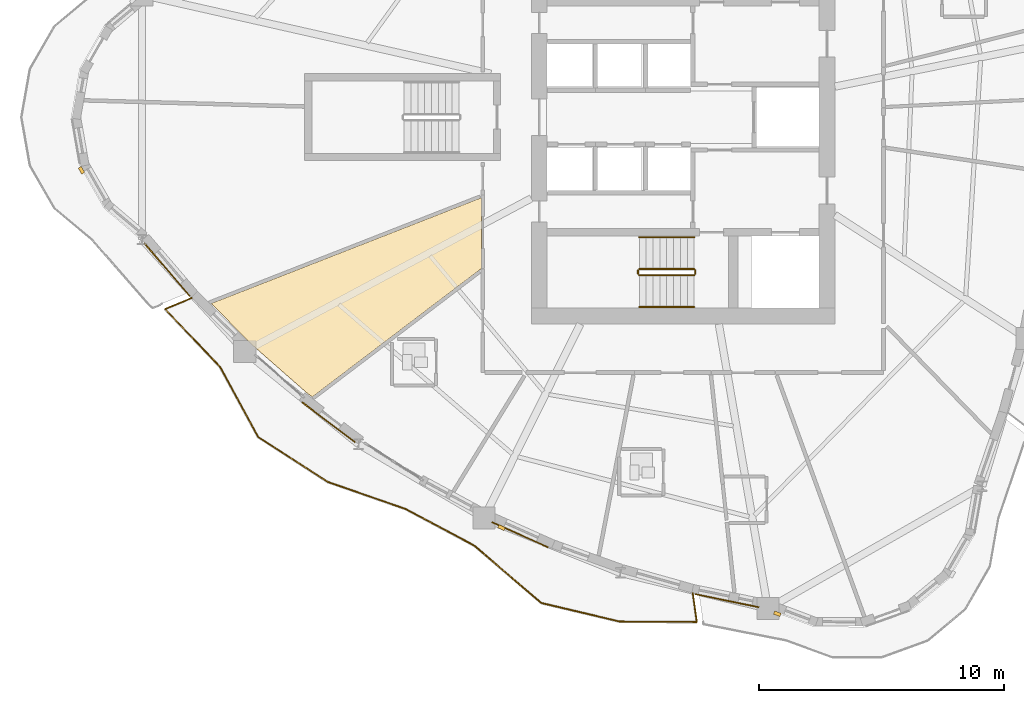
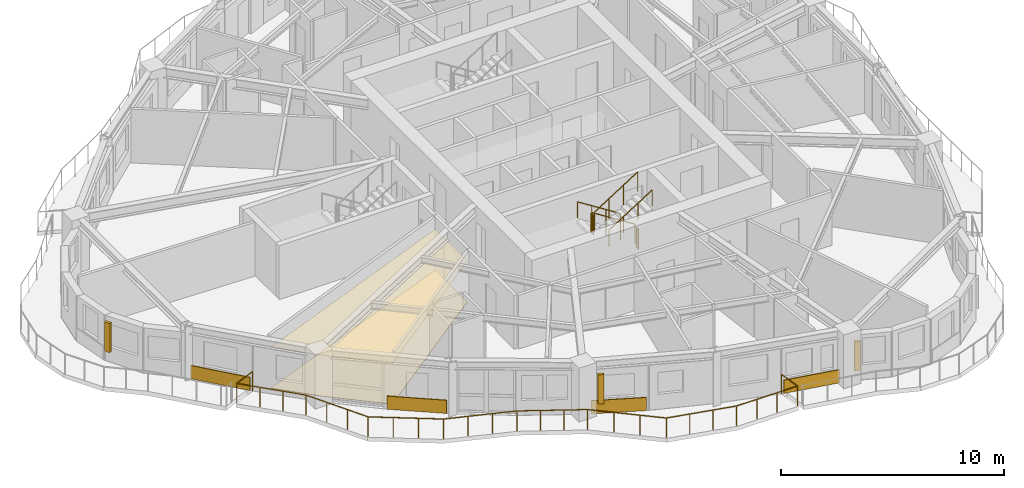
# One storey, part 11 of 15: 7 railings, 6 coverings, 3 shading devices.
"""IFC4 building model written with IfcOpenShell, lengths in metres."""

from ifc_helpers import new_model, si_unit, direction, frame, origin, origin_2d, place, context, subcontext, project, spatial, polyline, rectangle, circle, outline, extrude, source, transform, mapped, material, layer, layer_set, type_object, element, save


model = new_model("IFC4")

# Units and contexts
model_context = context("Model", 3, precision=1e-05, world=origin(), true_north=direction((0.0, 1.0)))
body_context = subcontext(model_context, "Body", "Model", "MODEL_VIEW")
ifc_project = project(units=[si_unit("LENGTHUNIT", "METRE"), si_unit("AREAUNIT", "SQUARE_METRE"), si_unit("VOLUMEUNIT", "CUBIC_METRE"), si_unit("PLANEANGLEUNIT", "RADIAN"), si_unit("MASSUNIT", "GRAM", prefix="KILO")], contexts=[model_context])

# Site, building, storey
site_placement = place(None, origin())
site = spatial("IfcSite", under=ifc_project, at=site_placement, CompositionType="ELEMENT")
building_placement = place(site_placement, origin())
building = spatial("IfcBuilding", under=site, at=building_placement, Name="Qafzar Sky-Pleat Residences", CompositionType="ELEMENT")
storey_placement = place(building_placement, frame((0.0, 0.0, 70.39990234375)))
storey = spatial("IfcBuildingStorey", under=building, at=storey_placement, Name="L20", CompositionType="ELEMENT", Elevation=70.39990234375)

# Coverings
ifc_material_1 = material(Name="Perforated acoustic gypsum board ceiling")
ifc_layer_1 = layer(ifc_material_1, 0.02001953125)
ifc_layer_set_1 = layer_set([ifc_layer_1], Name="Perforated acoustic gypsum board ceiling")
covering_type_1 = type_object("IfcCoveringType", Name="COV-CEIL-ACOUSTIC", PredefinedType="CEILING", material=ifc_layer_set_1)
covering_1_placement = place(storey_placement, frame((0.0, 0.0, 2.239990234375)))
element("IfcCovering", 1, at=covering_1_placement, inside=storey, type_object=covering_type_1, Name="L20 Common Dining Room Acoustic Ceiling", PredefinedType="CEILING", context=body_context, shape_type="SweptSolid", body=[
    extrude(outline(polyline([(14.973876953125, 14.75439453125), (12.726318359375, 16.727294921875), (11.08349609375, 18.393798828125), (22.110107421875, 22.710205078125), (22.110107421875, 19.818603515625), (15.2080078125, 14.57763671875), (14.973876953125, 14.75439453125)])), origin(), (0.0, 0.0, 1.0), 0.02001953125),
])
ifc_material_2 = material(Name="Honed porcelain and Riyadh stone tile flooring", Category="masonry")
ifc_layer_2 = layer(ifc_material_2, 0.02001953125)
ifc_layer_set_2 = layer_set([ifc_layer_2], Name="Honed porcelain and Riyadh stone tile flooring")
covering_type_2 = type_object("IfcCoveringType", Name="COV-FLR-PORCELAIN", PredefinedType="FLOORING", material=ifc_layer_set_2)
covering_2_placement = place(storey_placement, origin())
element("IfcCovering", 2, at=covering_2_placement, inside=storey, type_object=covering_type_2, Name="L20 Common Dining Room Honed Stone Flooring", PredefinedType="FLOORING", context=body_context, shape_type="SweptSolid", body=[
    extrude(outline(polyline([(14.973876953125, 14.75439453125), (12.726318359375, 16.727294921875), (11.08349609375, 18.393798828125), (22.110107421875, 22.710205078125), (22.110107421875, 19.818603515625), (15.2080078125, 14.57763671875), (14.973876953125, 14.75439453125)])), origin(), (0.0, 0.0, 1.0), 0.02001953125),
])

# Shading devices
ifc_material_3 = material(Name="Honed Riyadh limestone solar fin", Category="masonry")
ifc_layer_3 = layer(ifc_material_3, 0.139892578125)
ifc_layer_set_3 = layer_set([ifc_layer_3], Name="Honed Riyadh limestone solar fin")
shading_device_type = type_object("IfcShadingDeviceType", Name="SHD-FIN-STONE", PredefinedType="SHUTTER", material=ifc_layer_set_3)
shared_shape_1 = source(origin(), body_context, "Body", "SweptSolid", [
    extrude(rectangle(XDim=0.139892578125, YDim=0.280029296875, at=origin_2d()), origin(), (0.0, 0.0, 1.0), 1.60009765625),
])
for number, where, z_axis, x_axis, name in (
    (3, (5.78466796875, 23.83251953125, 0.60009765625), (0.0, 0.0, 1.0), (-0.868289358176, -0.49605805152, 0.0), "L20 Limestone Solar Fin 5"),
    (4, (22.9345703125, 9.24169921875, 0.60009765625), (0.0, 0.0, 1.0), (-0.406986553013, -0.913434149606, 0.0), "L20 Limestone Solar Fin 13"),
    (5, (34.197509765625, 5.724365234375, 0.60009765625), (0.0, 0.0, 1.0), (-0.349795816618, -0.936825963921, 0.0), "L20 Limestone Solar Fin 17"),
):
    element("IfcShadingDevice", number, at=place(storey_placement, frame(where, z_axis=z_axis, x_axis=x_axis)), inside=storey, type_object=shading_device_type, Name=name, PredefinedType="SHUTTER", context=body_context, shape_type="MappedRepresentation", body=[
        mapped(shared_shape_1, transform((0.0, 0.0, 0.0), x_axis=(1.0, 0.0, 0.0), y_axis=(0.0, 1.0, 0.0), z_axis=(0.0, 0.0, 1.0), scale=1.0)),
    ])

# Railing
ifc_material_4 = material(Name="Laminated glass and bronze steel balustrade", Category="steel")
railing_type_1 = type_object("IfcRailingType", Name="RAIL-BAL-1100", PredefinedType="BALUSTRADE", material=ifc_material_4)
shared_shape_2 = source(origin(), body_context, "Body", "SweptSolid", [
    extrude(circle(Radius=0.02392578125, at=origin_2d()), frame((0.0, 0.0, 1.076171875), z_axis=(-0.923064659651, -0.384644815517, 0.0), x_axis=(0.384644815517, -0.923064659651, 0.0)), (0.0, 0.0, 1.0), 1.177978515625),
    extrude(circle(Radius=0.02392578125, at=origin_2d()), frame((-1.08740234375, -0.453125, 1.076171875), z_axis=(0.689608250785, -0.724182615402, 0.0), x_axis=(0.724182615402, 0.689608250785, 0.0)), (0.0, 0.0, 1.0), 3.248291015625),
    extrude(circle(Radius=0.02392578125, at=origin_2d()), frame((1.152587890625, -2.805419921875, 1.076171875), z_axis=(0.478139425379, -0.878283946055, 0.0), x_axis=(0.878283946055, 0.478139425379, 0.0)), (0.0, 0.0, 1.0), 3.264892578125),
    extrude(circle(Radius=0.02392578125, at=origin_2d()), frame((2.713623046875, -5.6728515625, 1.076171875), z_axis=(0.839786399163, -0.542916940038, 0.0), x_axis=(0.542916940038, 0.839786399163, 0.0)), (0.0, 0.0, 1.0), 3.3916015625),
    extrude(circle(Radius=0.02392578125, at=origin_2d()), frame((5.561767578125, -7.51416015625, 1.076171875), z_axis=(0.944911742668, -0.327325218349, 0.0), x_axis=(0.327325218349, 0.944911742668, 0.0)), (0.0, 0.0, 1.0), 3.359375),
    extrude(circle(Radius=0.02392578125, at=origin_2d()), frame((8.736083984375, -8.61376953125, 1.076171875), z_axis=(0.882214448955, -0.470847816237, 0.0), x_axis=(0.470847816237, 0.882214448955, 0.0)), (0.0, 0.0, 1.0), 3.1728515625),
    extrude(circle(Radius=0.02392578125, at=origin_2d()), frame((11.53515625, -10.107666015625, 1.076171875), z_axis=(0.759314052168, -0.650724342698, 0.0), x_axis=(0.650724342698, 0.759314052168, 0.0)), (0.0, 0.0, 1.0), 3.599609375),
    extrude(circle(Radius=0.02392578125, at=origin_2d()), frame((14.268310546875, -12.449951171875, 1.076171875), z_axis=(0.972967941431, -0.230940219424, 0.0), x_axis=(0.230940219424, 0.972967941431, 0.0)), (0.0, 0.0, 1.0), 3.29931640625),
    extrude(circle(Radius=0.02392578125, at=origin_2d()), frame((17.478515625, -13.2119140625, 1.076171875), z_axis=(0.999988425304, -0.004811367559, 0.0), x_axis=(0.004811367559, 0.999988425304, 0.0)), (0.0, 0.0, 1.0), 3.14599609375),
    extrude(circle(Radius=0.02392578125, at=origin_2d()), frame((20.62451171875, -13.22705078125, 1.076171875), z_axis=(-0.139912212817, 0.990163912039, 0.0), x_axis=(-0.990163912039, -0.139912212817, 0.0)), (0.0, 0.0, 1.0), 1.177734375),
    extrude(circle(Radius=0.02099609375, at=origin_2d()), origin(), (0.0, 0.0, 1.0), 1.052001953125),
    extrude(circle(Radius=0.02099609375, at=origin_2d()), frame((-1.08740234375, -0.453125, 0.0)), (0.0, 0.0, 1.0), 1.052001953125),
    extrude(circle(Radius=0.02099609375, at=origin_2d()), frame((-0.3408203125, -1.2373046875, 0.0)), (0.0, 0.0, 1.0), 1.052001953125),
    extrude(circle(Radius=0.02099609375, at=origin_2d()), frame((0.406005859375, -2.021240234375, 0.0)), (0.0, 0.0, 1.0), 1.052001953125),
    extrude(circle(Radius=0.02099609375, at=origin_2d()), frame((1.152587890625, -2.805419921875, 0.0)), (0.0, 0.0, 1.0), 1.052001953125),
    extrude(circle(Radius=0.02099609375, at=origin_2d()), frame((1.6728515625, -3.76123046875, 0.0)), (0.0, 0.0, 1.0), 1.052001953125),
    extrude(circle(Radius=0.02099609375, at=origin_2d()), frame((2.193359375, -4.717041015625, 0.0)), (0.0, 0.0, 1.0), 1.052001953125),
    extrude(circle(Radius=0.02099609375, at=origin_2d()), frame((2.713623046875, -5.6728515625, 0.0)), (0.0, 0.0, 1.0), 1.052001953125),
    extrude(circle(Radius=0.02099609375, at=origin_2d()), frame((3.6630859375, -6.28662109375, 0.0)), (0.0, 0.0, 1.0), 1.052001953125),
    extrude(circle(Radius=0.02099609375, at=origin_2d()), frame((4.6123046875, -6.900390625, 0.0)), (0.0, 0.0, 1.0), 1.052001953125),
    extrude(circle(Radius=0.02099609375, at=origin_2d()), frame((5.561767578125, -7.51416015625, 0.0)), (0.0, 0.0, 1.0), 1.052001953125),
    extrude(circle(Radius=0.02099609375, at=origin_2d()), frame((6.619873046875, -7.880615234375, 0.0)), (0.0, 0.0, 1.0), 1.052001953125),
    extrude(circle(Radius=0.02099609375, at=origin_2d()), frame((7.677978515625, -8.247314453125, 0.0)), (0.0, 0.0, 1.0), 1.052001953125),
    extrude(circle(Radius=0.02099609375, at=origin_2d()), frame((8.736083984375, -8.61376953125, 0.0)), (0.0, 0.0, 1.0), 1.052001953125),
    extrude(circle(Radius=0.02099609375, at=origin_2d()), frame((9.669189453125, -9.11181640625, 0.0)), (0.0, 0.0, 1.0), 1.052001953125),
    extrude(circle(Radius=0.02099609375, at=origin_2d()), frame((10.60205078125, -9.609619140625, 0.0)), (0.0, 0.0, 1.0), 1.052001953125),
    extrude(circle(Radius=0.02099609375, at=origin_2d()), frame((11.53515625, -10.107666015625, 0.0)), (0.0, 0.0, 1.0), 1.052001953125),
    extrude(circle(Radius=0.02099609375, at=origin_2d()), frame((12.4462890625, -10.888427734375, 0.0)), (0.0, 0.0, 1.0), 1.052001953125),
    extrude(circle(Radius=0.02099609375, at=origin_2d()), frame((13.357177734375, -11.669189453125, 0.0)), (0.0, 0.0, 1.0), 1.052001953125),
    extrude(circle(Radius=0.02099609375, at=origin_2d()), frame((14.268310546875, -12.449951171875, 0.0)), (0.0, 0.0, 1.0), 1.052001953125),
    extrude(circle(Radius=0.02099609375, at=origin_2d()), frame((15.33837890625, -12.703857421875, 0.0)), (0.0, 0.0, 1.0), 1.052001953125),
    extrude(circle(Radius=0.02099609375, at=origin_2d()), frame((16.408447265625, -12.9580078125, 0.0)), (0.0, 0.0, 1.0), 1.052001953125),
    extrude(circle(Radius=0.02099609375, at=origin_2d()), frame((17.478515625, -13.2119140625, 0.0)), (0.0, 0.0, 1.0), 1.052001953125),
    extrude(circle(Radius=0.02099609375, at=origin_2d()), frame((18.527099609375, -13.217041015625, 0.0)), (0.0, 0.0, 1.0), 1.052001953125),
    extrude(circle(Radius=0.02099609375, at=origin_2d()), frame((19.575927734375, -13.221923828125, 0.0)), (0.0, 0.0, 1.0), 1.052001953125),
    extrude(circle(Radius=0.02099609375, at=origin_2d()), frame((20.62451171875, -13.22705078125, 0.0)), (0.0, 0.0, 1.0), 1.052001953125),
    extrude(circle(Radius=0.02099609375, at=origin_2d()), frame((20.459716796875, -12.060791015625, 0.0)), (0.0, 0.0, 1.0), 1.052001953125),
])
railing_1_placement = place(storey_placement, frame((10.285400390625, 18.6181640625, 0.0)))
element("IfcRailing", 6, at=railing_1_placement, inside=storey, type_object=railing_type_1, Name="L20 Pleated Balcony 3 Balustrade", PredefinedType="BALUSTRADE", context=body_context, shape_type="MappedRepresentation", body=[
    mapped(shared_shape_2, transform((0.0, 0.0, 0.0), x_axis=(1.0, 0.0, 0.0), y_axis=(0.0, 1.0, 0.0), z_axis=(0.0, 0.0, 1.0), scale=1.0)),
])

# Coverings
ifc_material_5 = material(Name="Honed Riyadh Tuwaiq limestone cladding", Category="masonry")
ifc_layer_4 = layer(ifc_material_5, 0.044921875)
ifc_layer_set_4 = layer_set([ifc_layer_4], Name="Honed Riyadh Tuwaiq limestone cladding")
covering_type_3 = type_object("IfcCoveringType", Name="COV-CLAD-STONE", PredefinedType="CLADDING", material=ifc_layer_set_4)
shared_shape_3 = source(origin(), body_context, "Body", "SweptSolid", [
    extrude(rectangle(XDim=2.83837890625, YDim=0.044921875, at=origin_2d()), origin(), (0.0, 0.0, 1.0), 0.719970703125),
])
covering_3_placement = place(storey_placement, frame((9.2783203125, 19.776611328125, 0.02001953125), z_axis=(0.0, 0.0, 1.0), x_axis=(0.65076787103, -0.759276746671, 0.0)))
element("IfcCovering", 7, at=covering_3_placement, inside=storey, type_object=covering_type_3, Name="L20 Riyadh Limestone Spandrel Cladding 7", PredefinedType="CLADDING", context=body_context, shape_type="MappedRepresentation", body=[
    mapped(shared_shape_3, transform((0.0, 0.0, 0.0), x_axis=(1.0, 0.0, 0.0), y_axis=(0.0, 1.0, 0.0), z_axis=(0.0, 0.0, 1.0), scale=1.0)),
])
shared_shape_4 = source(origin(), body_context, "Body", "SweptSolid", [
    extrude(rectangle(XDim=2.70361328125, YDim=0.044921875, at=origin_2d()), origin(), (0.0, 0.0, 1.0), 0.719970703125),
])
covering_4_placement = place(storey_placement, frame((15.876708984375, 13.544921875, 0.02001953125), z_axis=(0.0, 0.0, 1.0), x_axis=(0.798395365386, -0.602133573661, 0.0)))
element("IfcCovering", 8, at=covering_4_placement, inside=storey, type_object=covering_type_3, Name="L20 Riyadh Limestone Spandrel Cladding 10", PredefinedType="CLADDING", context=body_context, shape_type="MappedRepresentation", body=[
    mapped(shared_shape_4, transform((0.0, 0.0, 0.0), x_axis=(1.0, 0.0, 0.0), y_axis=(0.0, 1.0, 0.0), z_axis=(0.0, 0.0, 1.0), scale=1.0)),
])
shared_shape_5 = source(origin(), body_context, "Body", "SweptSolid", [
    extrude(rectangle(XDim=2.519287109375, YDim=0.044921875, at=origin_2d()), origin(), (0.0, 0.0, 1.0), 0.719970703125),
])
covering_5_placement = place(storey_placement, frame((23.69189453125, 8.951416015625, 0.02001953125), z_axis=(0.0, 0.0, 1.0), x_axis=(0.913434009373, -0.406986867749, 0.0)))
element("IfcCovering", 9, at=covering_5_placement, inside=storey, type_object=covering_type_3, Name="L20 Riyadh Limestone Spandrel Cladding 13", PredefinedType="CLADDING", context=body_context, shape_type="MappedRepresentation", body=[
    mapped(shared_shape_5, transform((0.0, 0.0, 0.0), x_axis=(1.0, 0.0, 0.0), y_axis=(0.0, 1.0, 0.0), z_axis=(0.0, 0.0, 1.0), scale=1.0)),
])
shared_shape_6 = source(origin(), body_context, "Body", "SweptSolid", [
    extrude(rectangle(XDim=2.65380859375, YDim=0.044921875, at=origin_2d()), origin(), (0.0, 0.0, 1.0), 0.719970703125),
])
covering_6_placement = place(storey_placement, frame((32.145751953125, 6.258056640625, 0.02001953125), z_axis=(0.0, 0.0, 1.0), x_axis=(0.979436154863, -0.201754351992, 0.0)))
element("IfcCovering", 10, at=covering_6_placement, inside=storey, type_object=covering_type_3, Name="L20 Riyadh Limestone Spandrel Cladding 16", PredefinedType="CLADDING", context=body_context, shape_type="MappedRepresentation", body=[
    mapped(shared_shape_6, transform((0.0, 0.0, 0.0), x_axis=(1.0, 0.0, 0.0), y_axis=(0.0, 1.0, 0.0), z_axis=(0.0, 0.0, 1.0), scale=1.0)),
])

# Railings
ifc_material_6 = material(Name="Painted Steel S355 stair guardrail", Category="steel")
railing_type_2 = type_object("IfcRailingType", Name="RAIL-STAIR-GUARD", PredefinedType="GUARDRAIL", material=ifc_material_6)
shared_shape_7 = source(origin(), body_context, "Body", "SweptSolid", [
    extrude(circle(Radius=0.02392578125, at=origin_2d()), frame((0.0, 0.0, 1.076171875), z_axis=(0.0, -1.0, 0.0), x_axis=(1.0, 0.0, 0.0)), (0.0, 0.0, 1.0), 0.14990234375),
    extrude(circle(Radius=0.02099609375, at=origin_2d()), origin(), (0.0, 0.0, 1.0), 1.052001953125),
    extrude(circle(Radius=0.02099609375, at=origin_2d()), frame((0.0, -0.14990234375, 0.0)), (0.0, 0.0, 1.0), 1.052001953125),
])
for number, where, name in (
    (11, (28.510009765625, 19.75, 1.60009765625), "L20 ST1 stair guard 2"),
    (12, (30.85009765625, 19.75, 0.0), "L20 ST1 stair guard 4"),
):
    element("IfcRailing", number, at=place(storey_placement, frame(where)), inside=storey, type_object=railing_type_2, Name=name, PredefinedType="GUARDRAIL", context=body_context, shape_type="MappedRepresentation", body=[
        mapped(shared_shape_7, transform((0.0, 0.0, 0.0), x_axis=(1.0, 0.0, 0.0), y_axis=(0.0, 1.0, 0.0), z_axis=(0.0, 0.0, 1.0), scale=1.0)),
    ])
shared_shape_8 = source(origin(), body_context, "Body", "SweptSolid", [
    extrude(circle(Radius=0.02392578125, at=origin_2d()), frame((0.0, 0.0, 1.076171875), z_axis=(-0.8442293374, 0.0, 0.53598211339), x_axis=(0.0, -1.0, 0.0)), (0.0, 0.0, 1.0), 2.6533203125),
    extrude(circle(Radius=0.02099609375, at=origin_2d()), origin(), (0.0, 0.0, 1.0), 1.052001953125),
    extrude(circle(Radius=0.02099609375, at=origin_2d()), frame((-0.74658203125, 0.0, 0.47412109375)), (0.0, 0.0, 1.0), 1.052001953125),
    extrude(circle(Radius=0.02099609375, at=origin_2d()), frame((-1.493408203125, 0.0, 0.947998046875)), (0.0, 0.0, 1.0), 1.052001953125),
    extrude(circle(Radius=0.02099609375, at=origin_2d()), frame((-2.239990234375, 0.0, 1.422119140625)), (0.0, 0.0, 1.0), 1.052001953125),
])
railing_2_placement = place(storey_placement, frame((30.800048828125, 19.800048828125, 0.177978515625)))
element("IfcRailing", 13, at=railing_2_placement, inside=storey, type_object=railing_type_2, Name="L20 ST1 stair guard 1", PredefinedType="GUARDRAIL", context=body_context, shape_type="MappedRepresentation", body=[
    mapped(shared_shape_8, transform((0.0, 0.0, 0.0), x_axis=(1.0, 0.0, 0.0), y_axis=(0.0, 1.0, 0.0), z_axis=(0.0, 0.0, 1.0), scale=1.0)),
])
ifc_material_7 = material(Name="Brushed stainless steel handrail", Category="steel")
railing_type_3 = type_object("IfcRailingType", Name="RAIL-STAIR-HAND", PredefinedType="HANDRAIL", material=ifc_material_7)
shared_shape_9 = source(origin(), body_context, "Body", "SweptSolid", [
    extrude(circle(Radius=0.02392578125, at=origin_2d()), frame((0.0, 0.0, 0.8759765625), z_axis=(-0.8442293374, 0.0, 0.53598211339), x_axis=(0.0, -1.0, 0.0)), (0.0, 0.0, 1.0), 2.6533203125),
    extrude(circle(Radius=0.02099609375, at=origin_2d()), origin(), (0.0, 0.0, 1.0), 0.851806640625),
    extrude(circle(Radius=0.02099609375, at=origin_2d()), frame((-0.74658203125, 0.0, 0.47412109375)), (0.0, 0.0, 1.0), 0.851806640625),
    extrude(circle(Radius=0.02099609375, at=origin_2d()), frame((-1.493408203125, 0.0, 0.947998046875)), (0.0, 0.0, 1.0), 0.851806640625),
    extrude(circle(Radius=0.02099609375, at=origin_2d()), frame((-2.239990234375, 0.0, 1.422119140625)), (0.0, 0.0, 1.0), 0.851806640625),
])
railing_3_placement = place(storey_placement, frame((30.800048828125, 21.10009765625, 0.177978515625)))
element("IfcRailing", 14, at=railing_3_placement, inside=storey, type_object=railing_type_3, Name="L20 ST1 stair handrail 1", PredefinedType="HANDRAIL", context=body_context, shape_type="MappedRepresentation", body=[
    mapped(shared_shape_9, transform((0.0, 0.0, 0.0), x_axis=(1.0, 0.0, 0.0), y_axis=(0.0, 1.0, 0.0), z_axis=(0.0, 0.0, 1.0), scale=1.0)),
])
shared_shape_10 = source(origin(), body_context, "Body", "SweptSolid", [
    extrude(circle(Radius=0.02392578125, at=origin_2d()), frame((0.0, 0.0, 1.076171875), z_axis=(0.84418770128, 0.0, 0.536047689118), x_axis=(0.0, 1.0, 0.0)), (0.0, 0.0, 1.0), 2.6533203125),
    extrude(circle(Radius=0.02099609375, at=origin_2d()), origin(), (0.0, 0.0, 1.0), 1.052001953125),
    extrude(circle(Radius=0.02099609375, at=origin_2d()), frame((0.74658203125, 0.0, 0.47412109375)), (0.0, 0.0, 1.0), 1.052001953125),
    extrude(circle(Radius=0.02099609375, at=origin_2d()), frame((1.493408203125, 0.0, 0.9482421875)), (0.0, 0.0, 1.0), 1.052001953125),
    extrude(circle(Radius=0.02099609375, at=origin_2d()), frame((2.239990234375, 0.0, 1.42236328125)), (0.0, 0.0, 1.0), 1.052001953125),
])
railing_4_placement = place(storey_placement, frame((28.56005859375, 19.550048828125, 1.77783203125)))
element("IfcRailing", 15, at=railing_4_placement, inside=storey, type_object=railing_type_2, Name="L20 ST1 stair guard 3", PredefinedType="GUARDRAIL", context=body_context, shape_type="MappedRepresentation", body=[
    mapped(shared_shape_10, transform((0.0, 0.0, 0.0), x_axis=(1.0, 0.0, 0.0), y_axis=(0.0, 1.0, 0.0), z_axis=(0.0, 0.0, 1.0), scale=1.0)),
])
shared_shape_11 = source(origin(), body_context, "Body", "SweptSolid", [
    extrude(circle(Radius=0.02392578125, at=origin_2d()), frame((0.0, 0.0, 0.8759765625), z_axis=(0.84418770128, 0.0, 0.536047689118), x_axis=(0.0, 1.0, 0.0)), (0.0, 0.0, 1.0), 2.6533203125),
    extrude(circle(Radius=0.02099609375, at=origin_2d()), origin(), (0.0, 0.0, 1.0), 0.851806640625),
    extrude(circle(Radius=0.02099609375, at=origin_2d()), frame((0.74658203125, 0.0, 0.47412109375)), (0.0, 0.0, 1.0), 0.851806640625),
    extrude(circle(Radius=0.02099609375, at=origin_2d()), frame((1.493408203125, 0.0, 0.9482421875)), (0.0, 0.0, 1.0), 0.851806640625),
    extrude(circle(Radius=0.02099609375, at=origin_2d()), frame((2.239990234375, 0.0, 1.42236328125)), (0.0, 0.0, 1.0), 0.851806640625),
])
railing_5_placement = place(storey_placement, frame((28.56005859375, 18.25, 1.77783203125)))
element("IfcRailing", 16, at=railing_5_placement, inside=storey, type_object=railing_type_3, Name="L20 ST1 stair handrail 2", PredefinedType="HANDRAIL", context=body_context, shape_type="MappedRepresentation", body=[
    mapped(shared_shape_11, transform((0.0, 0.0, 0.0), x_axis=(1.0, 0.0, 0.0), y_axis=(0.0, 1.0, 0.0), z_axis=(0.0, 0.0, 1.0), scale=1.0)),
])

save(model, "model.ifc")
